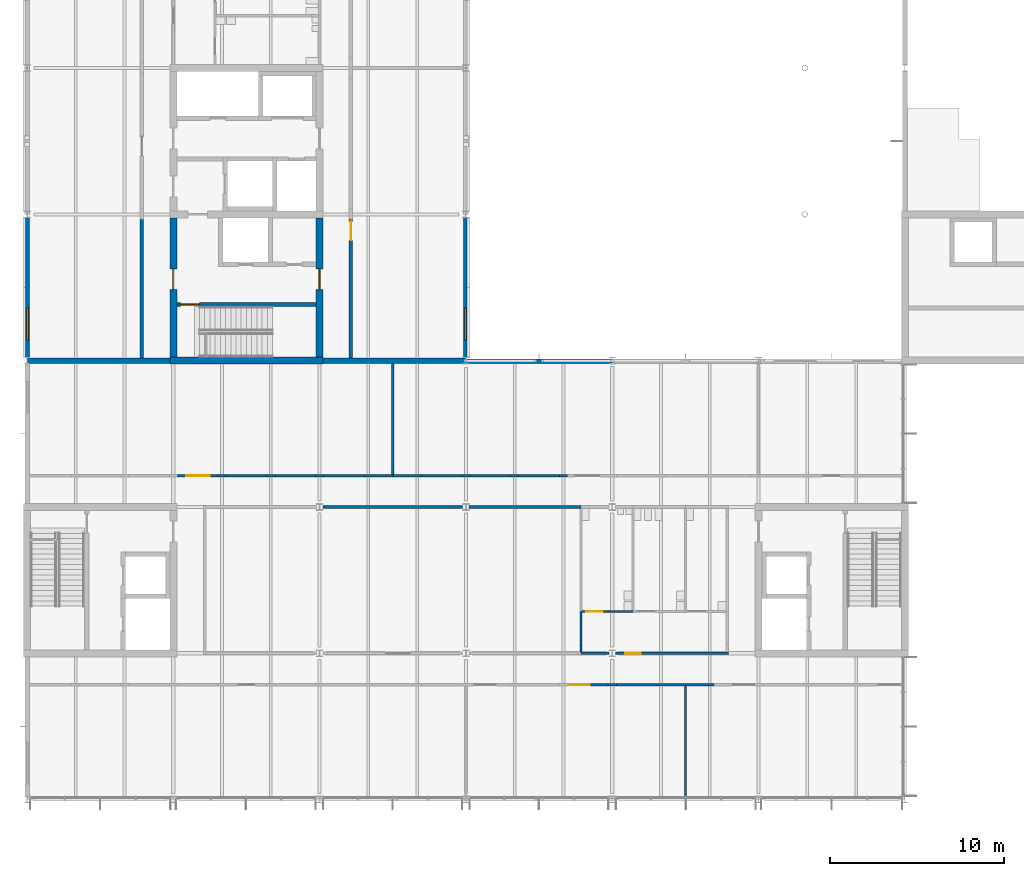
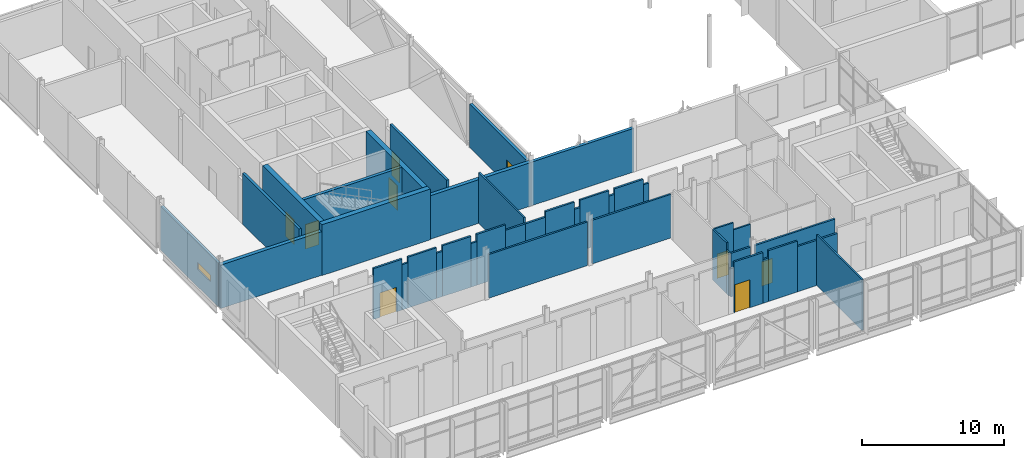
# One storey, part 48 of 89: 41 walls, 8 doors, 2 windows, 10 openings.
"""IFC4 building model written with IfcOpenShell, lengths in metres."""

import ifcopenshell
import ifcopenshell.guid

model = None  # the IFC model being written
_history = None  # IfcOwnerHistory: only IFC2X3 demands one
_inside = {}  # id of a spatial element -> (the spatial element, [elements in it])
_under = {}  # id of a project, library or spatial element -> (it, [spatial elements below it])
_declared = {}  # id of a project -> (the project, [libraries it declares])
_typed = {}  # id of a type object -> (the type object, [elements of that type])
_made_of = {}  # id of a material, layer set ... -> (it, [elements and type objects made of it])


def new_model(schema):
    """Start an empty IFC model of exactly this schema.

    Asked for "IFC4X3", IfcOpenShell would pick the latest addendum, in which some entities
    have other attributes; the version numbers below select the first issue.
    IFC2X3 requires an IfcOwnerHistory on every rooted entity: one is made here for all.
    """
    global model, _history
    if schema == "IFC4X3":
        model = ifcopenshell.file(schema_version=(4, 3, 0, 0))
    else:
        model = ifcopenshell.file(schema=schema)
    _inside.clear()
    _under.clear()
    _declared.clear()
    _typed.clear()
    _made_of.clear()
    _history = None
    if model.schema == "IFC2X3":
        org = make("IfcOrganization", Name="unknown")
        user = make(
            "IfcPersonAndOrganization",
            ThePerson=make("IfcPerson", FamilyName="unknown"),
            TheOrganization=org,
        )
        app = make(
            "IfcApplication",
            ApplicationDeveloper=org,
            Version="unknown",
            ApplicationFullName="unknown",
            ApplicationIdentifier="unknown",
        )
        _history = make(
            "IfcOwnerHistory",
            OwningUser=user,
            OwningApplication=app,
            ChangeAction="ADDED",
            CreationDate=0,
        )
    return model


def make(cls, **values):
    """One entity of the class cls with the attributes given. An attribute that is None is left unset."""
    return model.create_entity(
        cls, **{name: value for name, value in values.items() if value is not None}
    )


def rooted(cls, **values):
    """An entity with a GlobalId (a new one), such as an element, a storey or a relation."""
    return make(cls, GlobalId=ifcopenshell.guid.new(), OwnerHistory=_history, **values)


def si_unit(unit_type, name, prefix=None):
    """IfcSIUnit, for example si_unit("LENGTHUNIT", "METRE", prefix="MILLI")."""
    return make("IfcSIUnit", UnitType=unit_type, Prefix=prefix, Name=name)


def assignment(units):
    """IfcUnitAssignment: the units of a project."""
    return None if units is None else make("IfcUnitAssignment", Units=units)


def point(xyz):
    """IfcCartesianPoint."""
    return None if xyz is None else make("IfcCartesianPoint", Coordinates=xyz)


def direction(xyz):
    """IfcDirection."""
    return None if xyz is None else make("IfcDirection", DirectionRatios=xyz)


def frame(location, z_axis=None, x_axis=None):
    """IfcAxis2Placement3D, a coordinate frame: its origin and axes. An axis left out is left unset."""
    return make(
        "IfcAxis2Placement3D",
        Location=point(location),
        Axis=direction(z_axis),
        RefDirection=direction(x_axis),
    )


def frame_2d(location, x_axis=None):
    """IfcAxis2Placement2D, a coordinate frame in the plane: its origin and x axis."""
    return make(
        "IfcAxis2Placement2D", Location=point(location), RefDirection=direction(x_axis)
    )


def origin():
    """The frame at (0, 0, 0) with its axes left unset."""
    return frame((0.0, 0.0, 0.0))


def place(relative_to, where):
    """IfcLocalPlacement: puts the frame where relative to a parent placement (None: the world)."""
    return make(
        "IfcLocalPlacement", PlacementRelTo=relative_to, RelativePlacement=where
    )


def context(
    kind, dimensions, precision=None, world=None, true_north=None, identifier=None
):
    """IfcGeometricRepresentationContext, for example the 3D "Model" context."""
    return make(
        "IfcGeometricRepresentationContext",
        ContextIdentifier=identifier,
        ContextType=kind,
        CoordinateSpaceDimension=dimensions,
        Precision=precision,
        WorldCoordinateSystem=world,
        TrueNorth=true_north,
    )


def subcontext(parent, identifier, kind, view, scale=None):
    """IfcGeometricRepresentationSubContext, for example "Body" below "Model"."""
    return make(
        "IfcGeometricRepresentationSubContext",
        ContextIdentifier=identifier,
        ContextType=kind,
        ParentContext=parent,
        TargetScale=scale,
        TargetView=view,
    )


def project(units=None, contexts=None):
    """IfcProject with its units and contexts."""
    return rooted(
        "IfcProject",
        Name="project",
        RepresentationContexts=contexts,
        UnitsInContext=assignment(units),
    )


def spatial(cls, under=None, at=None, **own):
    """A site, building, storey or space (cls), placed at a placement, below another one or the project."""
    s = rooted(cls, ObjectPlacement=at, **own)
    if under is not None:
        _under.setdefault(under.id(), (under, []))[1].append(s)
    return s


def profile(cls, at=None, kind="AREA", **sizes):
    """A parametric profile (cls). Its sizes go by their IFC names, for example OverallWidth=200.0."""
    return make(cls, ProfileType=kind, Position=at, **sizes)


def rectangle(**sizes):
    """IfcRectangleProfileDef."""
    return profile("IfcRectangleProfileDef", **sizes)


def extrude(swept, where, along, depth):
    """IfcExtrudedAreaSolid: the profile swept, set in the frame where, extruded along a direction by depth."""
    return make(
        "IfcExtrudedAreaSolid",
        SweptArea=swept,
        Position=where,
        ExtrudedDirection=direction(along),
        Depth=depth,
    )


def shape(context_of_items, identifier, shape_type, items):
    """IfcShapeRepresentation: the items that make up one representation, for example the "Body"."""
    return make(
        "IfcShapeRepresentation",
        ContextOfItems=context_of_items,
        RepresentationIdentifier=identifier,
        RepresentationType=shape_type,
        Items=items,
    )


def material(Name=None, Category=None):
    """IfcMaterial."""
    return make("IfcMaterial", Name=Name, Category=Category)


def layer(
    of_material, thickness, ventilated=None, Name=None, Category=None, Priority=None
):
    """IfcMaterialLayer: one layer of a wall or slab, of a material (None: an air gap)."""
    return make(
        "IfcMaterialLayer",
        Material=of_material,
        LayerThickness=thickness,
        IsVentilated=ventilated,
        Name=Name,
        Category=Category,
        Priority=Priority,
    )


def layer_set(layers, Name=None):
    """IfcMaterialLayerSet."""
    return make("IfcMaterialLayerSet", MaterialLayers=layers, LayerSetName=Name)


def made_of(thing, what):
    """Note that an element or type object is made of a material, layer set ...; save() writes the relation."""
    if what is not None:
        _made_of.setdefault(what.id(), (what, []))[1].append(thing)
    return thing


def type_object(cls, material=None, **own):
    """A type object (cls), such as IfcWallType, which elements share."""
    return made_of(rooted(cls, **own), material)


def element(
    cls,
    number,
    at=None,
    inside=None,
    cuts=None,
    type_object=None,
    material=None,
    context=None,
    identifier="Body",
    shape_type=None,
    held_by="IfcProductDefinitionShape",
    body=None,
    shapes=None,
    **own,
):
    """One element of the class cls, such as IfcWall. Its Tag is "e" and its number.

    at: its placement. inside: the storey or other place that contains it. cuts: it is an
    opening in that element (IfcRelVoidsElement). A single representation is given by context,
    identifier, shape_type and body (its items); several are given by shapes. held_by: the class
    of the entity that holds the representations. save() writes the other relations.
    """
    e = rooted(cls, Tag="e%d" % number, ObjectPlacement=at, **own)
    if body is not None:
        shapes = [shape(context, identifier, shape_type, body)]
    if shapes is not None:
        e.Representation = make(held_by, Representations=shapes)
    if inside is not None:
        _inside.setdefault(inside.id(), (inside, []))[1].append(e)
    if cuts is not None:
        rooted(
            "IfcRelVoidsElement", RelatingBuildingElement=cuts, RelatedOpeningElement=e
        )
    if type_object is not None:
        _typed.setdefault(type_object.id(), (type_object, []))[1].append(e)
    return made_of(e, material)


def fill(opening, filler):
    """IfcRelFillsElement: the door or window that sits in an opening."""
    return rooted(
        "IfcRelFillsElement",
        RelatingOpeningElement=opening,
        RelatedBuildingElement=filler,
    )


def aggregate(whole, parts):
    """IfcRelAggregates: a whole, such as a stair, and the parts it consists of."""
    return rooted("IfcRelAggregates", RelatingObject=whole, RelatedObjects=parts)


def save(model, path):
    """Write the relations noted so far, then the file.

    IfcRelAggregates (storeys below a building ...), IfcRelContainedInSpatialStructure (elements
    in a storey), IfcRelDefinesByType, IfcRelAssociatesMaterial and IfcRelDeclares: one each for
    every whole, place, type object, material and project.
    """
    for whole, parts in _under.values():
        aggregate(whole, parts)
    for where, things in _inside.values():
        rooted(
            "IfcRelContainedInSpatialStructure",
            RelatedElements=things,
            RelatingStructure=where,
        )
    for kind, things in _typed.values():
        rooted("IfcRelDefinesByType", RelatedObjects=things, RelatingType=kind)
    for what, things in _made_of.values():
        rooted("IfcRelAssociatesMaterial", RelatedObjects=things, RelatingMaterial=what)
    for by, libraries in _declared.values():
        rooted("IfcRelDeclares", RelatingContext=by, RelatedDefinitions=libraries)
    model.write(path)


model = new_model("IFC4")

# Units and contexts
model_context = context("Model", 3, precision=1e-05, world=origin(), true_north=direction((0.0, 1.0)))
body_context = subcontext(model_context, "Body", "Model", "MODEL_VIEW")
ifc_project = project(units=[si_unit("LENGTHUNIT", "METRE"), si_unit("AREAUNIT", "SQUARE_METRE"), si_unit("VOLUMEUNIT", "CUBIC_METRE"), si_unit("PLANEANGLEUNIT", "RADIAN"), si_unit("MASSUNIT", "GRAM", prefix="KILO")], contexts=[model_context])

# Site, building, storey
site_placement = place(None, origin())
site = spatial("IfcSite", under=ifc_project, at=site_placement, CompositionType="ELEMENT")
building_placement = place(site_placement, origin())
building = spatial("IfcBuilding", under=site, at=building_placement, Name="Hlaing Beacon Police Headquarters", CompositionType="ELEMENT")
storey_placement = place(building_placement, frame((0.0, 0.0, 9.89990234375)))
storey = spatial("IfcBuildingStorey", under=building, at=storey_placement, Name="L02", CompositionType="ELEMENT", Elevation=9.89990234375)

# Walls
ifc_material_1 = material(Name="Concrete C40/50", Category="concrete")
ifc_layer_1 = layer(ifc_material_1, 0.300048828125)
ifc_layer_set_1 = layer_set([ifc_layer_1], Name="Concrete C40/50")
wall_type_1 = type_object("IfcWallType", Name="Compartment wall 300", PredefinedType="SOLIDWALL", material=ifc_layer_set_1)
wall_1_placement = place(storey_placement, frame((33.59814453125, 33.60009765625, 0.0), z_axis=(0.0, 0.0, 1.0), x_axis=(-1.0, 0.0, 0.0)))
element("IfcWall", 1, at=wall_1_placement, inside=storey, type_object=wall_type_1, Name="Compartment wall L02 N034", PredefinedType="SOLIDWALL", context=body_context, shape_type="SweptSolid", body=[
    extrude(rectangle(XDim=8.1982421875, YDim=0.300048828125, at=frame_2d((4.09912109375, 0.0))), origin(), (0.0, 0.0, 1.0), 3.74609375),
])
wall_2_placement = place(storey_placement, frame((16.60009765625, 33.60009765625, 0.0), z_axis=(0.0, 0.0, 1.0), x_axis=(-1.0, 0.0, 0.0)))
element("IfcWall", 2, at=wall_2_placement, inside=storey, type_object=wall_type_1, Name="Compartment wall L02 N035", PredefinedType="SOLIDWALL", context=body_context, shape_type="SweptSolid", body=[
    extrude(rectangle(XDim=8.19580078125, YDim=0.300048828125, at=frame_2d((4.097900390625, 0.0))), origin(), (0.0, 0.0, 1.0), 3.74609375),
])
ifc_material_2 = material(Name="Concrete C60/75", Category="concrete")
ifc_layer_2 = layer(ifc_material_2, 0.39990234375)
ifc_layer_set_2 = layer_set([ifc_layer_2], Name="Concrete C60/75")
wall_type_2 = type_object("IfcWallType", Name="Core shear wall 400", PredefinedType="SHEAR", material=ifc_layer_set_2)
wall_3_placement = place(storey_placement, frame((16.60009765625, 33.60009765625, 0.0), z_axis=(0.0, 0.0, 1.0), x_axis=(1.0, 0.0, 0.0)))
element("IfcWall", 3, at=wall_3_placement, inside=storey, type_object=wall_type_2, Name="Core shear wall", PredefinedType="SHEAR", context=body_context, shape_type="SweptSolid", body=[
    extrude(rectangle(XDim=8.7998046875, YDim=0.39990234375, at=frame_2d((4.39990234375, 0.0))), origin(), (0.0, 0.0, 1.0), 4.3701171875),
])

# Wall, opening, door
wall_4_placement = place(storey_placement, frame((16.800048828125, 33.800048828125, 0.0), z_axis=(0.0, 0.0, 1.0), x_axis=(0.0, 1.0, 0.0)))
wall_4 = element("IfcWall", 4, at=wall_4_placement, inside=storey, type_object=wall_type_2, Name="Core shear wall", PredefinedType="SHEAR", context=body_context, shape_type="SweptSolid", body=[
    extrude(rectangle(XDim=8.0, YDim=0.39990234375, at=frame_2d((4.0, 0.0))), origin(), (0.0, 0.0, 1.0), 4.3701171875),
])
opening_1_placement = place(wall_4_placement, frame((3.875, 0.0, 0.0)))
opening_1 = element("IfcOpeningElement", 5, at=opening_1_placement, cuts=wall_4, Name="Opening L02-941", PredefinedType="OPENING", context=body_context, shape_type="SweptSolid", body=[
    extrude(rectangle(XDim=1.199951171875, YDim=2.10009765625, at=frame_2d((0.60009765625, 1.050048828125))), frame((0.0, 0.2099609375, 0.0), z_axis=(0.0, -1.0, 0.0), x_axis=(1.0, 0.0, 0.0)), (0.0, 0.0, 1.0), 0.419921875),
])
ifc_material_3 = material(Name="Steel fire door leaf", Category="steel")
ifc_layer_3 = layer(ifc_material_3, 0.070068359375)
ifc_layer_set_3 = layer_set([ifc_layer_3], Name="Steel fire door leaf")
door_type_1 = type_object("IfcDoorType", Name="Steel fire door FD60S 1200x2100", OperationType="SINGLE_SWING_LEFT", PredefinedType="DOOR", material=ifc_layer_set_3)
door_1_placement = place(opening_1_placement, frame((1.199951171875, 0.0, 0.0), z_axis=(0.0, 0.0, 1.0), x_axis=(-1.0, 0.0, 0.0)))
door_1 = element("IfcDoor", 6, at=door_1_placement, inside=storey, type_object=door_type_1, Name="Door Stair Lobby ST-N Entry", OperationType="SINGLE_SWING_RIGHT", OverallHeight=2.10009765625, OverallWidth=1.199951171875, PredefinedType="DOOR", context=body_context, shape_type="SweptSolid", body=[
    extrude(rectangle(XDim=1.199951171875, YDim=2.10009765625, at=frame_2d((0.599853515625, 1.050048828125))), frame((0.0, 0.034912109375, 0.0), z_axis=(0.0, -1.0, 0.0), x_axis=(1.0, 0.0, 0.0)), (0.0, 0.0, 1.0), 0.070068359375),
])
fill(opening_1, door_1)

wall_5_placement = place(storey_placement, frame((25.199951171875, 33.800048828125, 0.0), z_axis=(0.0, 0.0, 1.0), x_axis=(0.0, 1.0, 0.0)))
wall_5 = element("IfcWall", 7, at=wall_5_placement, inside=storey, type_object=wall_type_2, Name="Core shear wall", PredefinedType="SHEAR", context=body_context, shape_type="SweptSolid", body=[
    extrude(rectangle(XDim=8.0, YDim=0.39990234375, at=frame_2d((4.0, 0.0))), origin(), (0.0, 0.0, 1.0), 4.3701171875),
])
opening_2_placement = place(wall_5_placement, frame((3.875, 0.0, 0.0)))
opening_2 = element("IfcOpeningElement", 8, at=opening_2_placement, cuts=wall_5, Name="Opening L02-942", PredefinedType="OPENING", context=body_context, shape_type="SweptSolid", body=[
    extrude(rectangle(XDim=1.199951171875, YDim=2.10009765625, at=frame_2d((0.60009765625, 1.050048828125))), frame((0.0, 0.2099609375, 0.0), z_axis=(0.0, -1.0, 0.0), x_axis=(1.0, 0.0, 0.0)), (0.0, 0.0, 1.0), 0.419921875),
])
door_2_placement = place(opening_2_placement, origin())
door_2 = element("IfcDoor", 9, at=door_2_placement, inside=storey, type_object=door_type_1, Name="Door Stair Lobby ST-N Entry", OperationType="SINGLE_SWING_LEFT", OverallHeight=2.10009765625, OverallWidth=1.199951171875, PredefinedType="DOOR", context=body_context, shape_type="SweptSolid", body=[
    extrude(rectangle(XDim=1.199951171875, YDim=2.10009765625, at=frame_2d((0.60009765625, 1.050048828125))), frame((0.0, 0.03515625, 0.0), z_axis=(0.0, -1.0, 0.0), x_axis=(1.0, 0.0, 0.0)), (0.0, 0.0, 1.0), 0.070068359375),
])
fill(opening_2, door_2)

# Walls
ifc_material_4 = material(Name="Gypsum board partition")
ifc_layer_4 = layer(ifc_material_4, 0.14990234375)
ifc_layer_set_4 = layer_set([ifc_layer_4], Name="Gypsum board partition")
wall_type_3 = type_object("IfcWallType", Name="Corridor wall EI 30 150", PredefinedType="PARTITIONING", material=ifc_layer_set_4)
wall_6_placement = place(storey_placement, frame((25.385986328125, 25.199951171875, 0.0), z_axis=(0.0, 0.0, 1.0), x_axis=(1.0, 0.0, 0.0)))
element("IfcWall", 10, at=wall_6_placement, inside=storey, type_object=wall_type_3, Name="Corridor wall EI 30 150", PredefinedType="PARTITIONING", context=body_context, shape_type="SweptSolid", body=[
    extrude(rectangle(XDim=8.029052734375, YDim=0.14990234375, at=frame_2d((4.0146484375, 0.0))), origin(), (0.0, 0.0, 1.0), 3.74609375),
])
wall_7_placement = place(storey_placement, frame((33.784912109375, 25.199951171875, 0.0), z_axis=(0.0, 0.0, 1.0), x_axis=(1.0, 0.0, 0.0)))
element("IfcWall", 11, at=wall_7_placement, inside=storey, type_object=wall_type_3, Name="Corridor wall EI 30 150", PredefinedType="PARTITIONING", context=body_context, shape_type="SweptSolid", body=[
    extrude(rectangle(XDim=6.4150390625, YDim=0.14990234375, at=frame_2d((3.20751953125, 0.0))), origin(), (0.0, 0.0, 1.0), 3.74609375),
])
wall_8_placement = place(storey_placement, frame((40.199951171875, 16.800048828125, 0.0), z_axis=(0.0, 0.0, 1.0), x_axis=(1.0, 0.0, 0.0)))
element("IfcWall", 12, at=wall_8_placement, inside=storey, type_object=wall_type_3, Name="Corridor wall EI 30 150", PredefinedType="PARTITIONING", context=body_context, shape_type="SweptSolid", body=[
    extrude(rectangle(XDim=1.614990234375, YDim=0.14990234375, at=frame_2d((0.8076171875, 0.0))), origin(), (0.0, 0.0, 1.0), 3.74609375),
])

# Wall, opening, door
wall_9_placement = place(storey_placement, frame((42.18505859375, 16.800048828125, 0.0), z_axis=(0.0, 0.0, 1.0), x_axis=(1.0, 0.0, 0.0)))
wall_9 = element("IfcWall", 13, at=wall_9_placement, inside=storey, type_object=wall_type_3, Name="Corridor wall EI 30 150", PredefinedType="PARTITIONING", context=body_context, shape_type="SweptSolid", body=[
    extrude(rectangle(XDim=6.489990234375, YDim=0.14990234375, at=frame_2d((3.2451171875, 0.0))), origin(), (0.0, 0.0, 1.0), 3.74609375),
])
opening_3_placement = place(wall_9_placement, frame((0.550048828125, 0.0, 0.0)))
opening_3 = element("IfcOpeningElement", 14, at=opening_3_placement, cuts=wall_9, Name="Opening L02-011", PredefinedType="OPENING", context=body_context, shape_type="SweptSolid", body=[
    extrude(rectangle(XDim=0.89990234375, YDim=2.10009765625, at=frame_2d((0.449951171875, 1.050048828125))), frame((0.0, 0.0849609375, 0.0), z_axis=(0.0, -1.0, 0.0), x_axis=(1.0, 0.0, 0.0)), (0.0, 0.0, 1.0), 0.169921875),
])
ifc_material_5 = material(Name="Hardwood door leaf", Category="wood")
ifc_layer_5 = layer(ifc_material_5, 0.050048828125)
ifc_layer_set_5 = layer_set([ifc_layer_5], Name="Hardwood door leaf")
door_type_2 = type_object("IfcDoorType", Name="Fire door FD30S 900x2100", OperationType="SINGLE_SWING_LEFT", PredefinedType="DOOR", material=ifc_layer_set_5)
door_3_placement = place(opening_3_placement, origin())
door_3 = element("IfcDoor", 15, at=door_3_placement, inside=storey, type_object=door_type_2, Name="Door WC Lobby", OperationType="SINGLE_SWING_RIGHT", OverallHeight=2.10009765625, OverallWidth=0.89990234375, PredefinedType="DOOR", context=body_context, shape_type="SweptSolid", body=[
    extrude(rectangle(XDim=0.89990234375, YDim=2.10009765625, at=frame_2d((0.449951171875, 1.050048828125))), frame((0.0, 0.02490234375, 0.0), z_axis=(0.0, -1.0, 0.0), x_axis=(1.0, 0.0, 0.0)), (0.0, 0.0, 1.0), 0.050048828125),
])
fill(opening_3, door_3)

wall_10_placement = place(storey_placement, frame((17.030029296875, 27.0, 0.0), z_axis=(0.0, 0.0, 1.0), x_axis=(1.0, 0.0, 0.0)))
wall_10 = element("IfcWall", 16, at=wall_10_placement, inside=storey, type_object=wall_type_3, Name="Corridor wall EI 30 150", PredefinedType="PARTITIONING", context=body_context, shape_type="SweptSolid", body=[
    extrude(rectangle(XDim=2.340087890625, YDim=0.14990234375, at=frame_2d((1.169921875, 0.0))), origin(), (0.0, 0.0, 1.0), 4.3701171875),
])
opening_4_placement = place(wall_10_placement, frame((0.52001953125, 0.0, 0.0)))
opening_4 = element("IfcOpeningElement", 17, at=opening_4_placement, cuts=wall_10, Name="Opening L02-013", PredefinedType="OPENING", context=body_context, shape_type="SweptSolid", body=[
    extrude(rectangle(XDim=1.35009765625, YDim=2.10009765625, at=frame_2d((0.675048828125, 1.050048828125))), frame((0.0, 0.0849609375, 0.0), z_axis=(0.0, -1.0, 0.0), x_axis=(1.0, 0.0, 0.0)), (0.0, 0.0, 1.0), 0.169921875),
])
ifc_material_6 = material(Name="Hardwood door leaf", Category="wood")
ifc_layer_6 = layer(ifc_material_6, 0.050048828125)
ifc_layer_set_6 = layer_set([ifc_layer_6], Name="Hardwood door leaf")
door_type_3 = type_object("IfcDoorType", Name="Fire leaf-and-a-half door FD30S 1350x2100", OperationType="DOUBLE_DOOR_SINGLE_SWING", PredefinedType="DOOR", material=ifc_layer_set_6)
door_4_placement = place(opening_4_placement, origin())
door_4 = element("IfcDoor", 18, at=door_4_placement, inside=storey, type_object=door_type_3, Name="Door Legal Services", OperationType="DOUBLE_DOOR_SINGLE_SWING", OverallHeight=2.10009765625, OverallWidth=1.35009765625, PredefinedType="DOOR", context=body_context, shape_type="SweptSolid", body=[
    extrude(rectangle(XDim=1.35009765625, YDim=2.10009765625, at=frame_2d((0.675048828125, 1.050048828125))), frame((0.0, 0.02490234375, 0.0), z_axis=(0.0, -1.0, 0.0), x_axis=(1.0, 0.0, 0.0)), (0.0, 0.0, 1.0), 0.050048828125),
])
fill(opening_4, door_4)

# Walls
wall_11_placement = place(storey_placement, frame((19.3701171875, 27.0, 0.0), z_axis=(0.0, 0.0, 1.0), x_axis=(1.0, 0.0, 0.0)))
element("IfcWall", 19, at=wall_11_placement, inside=storey, type_object=wall_type_3, Name="Corridor wall EI 30 150", PredefinedType="PARTITIONING", context=body_context, shape_type="SweptSolid", body=[
    extrude(rectangle(XDim=0.4599609375, YDim=0.14990234375, at=frame_2d((0.22998046875, 0.0))), origin(), (0.0, 0.0, 1.0), 3.89501953125),
])
wall_12_placement = place(storey_placement, frame((19.830078125, 27.0, 0.0), z_axis=(0.0, 0.0, 1.0), x_axis=(1.0, 0.0, 0.0)))
element("IfcWall", 20, at=wall_12_placement, inside=storey, type_object=wall_type_3, Name="Corridor wall EI 30 150", PredefinedType="PARTITIONING", context=body_context, shape_type="SweptSolid", body=[
    extrude(rectangle(XDim=2.33984375, YDim=0.14990234375, at=frame_2d((1.169921875, 0.0))), origin(), (0.0, 0.0, 1.0), 4.3701171875),
])
wall_13_placement = place(storey_placement, frame((22.169921875, 27.0, 0.0), z_axis=(0.0, 0.0, 1.0), x_axis=(1.0, 0.0, 0.0)))
element("IfcWall", 21, at=wall_13_placement, inside=storey, type_object=wall_type_3, Name="Corridor wall EI 30 150", PredefinedType="PARTITIONING", context=body_context, shape_type="SweptSolid", body=[
    extrude(rectangle(XDim=0.4599609375, YDim=0.14990234375, at=frame_2d((0.22998046875, 0.0))), origin(), (0.0, 0.0, 1.0), 3.89501953125),
])
wall_14_placement = place(storey_placement, frame((22.6298828125, 27.0, 0.0), z_axis=(0.0, 0.0, 1.0), x_axis=(1.0, 0.0, 0.0)))
element("IfcWall", 22, at=wall_14_placement, inside=storey, type_object=wall_type_3, Name="Corridor wall EI 30 150", PredefinedType="PARTITIONING", context=body_context, shape_type="SweptSolid", body=[
    extrude(rectangle(XDim=2.340087890625, YDim=0.14990234375, at=frame_2d((1.169921875, 0.0))), origin(), (0.0, 0.0, 1.0), 4.3701171875),
])
wall_15_placement = place(storey_placement, frame((24.969970703125, 27.0, 0.0), z_axis=(0.0, 0.0, 1.0), x_axis=(1.0, 0.0, 0.0)))
element("IfcWall", 23, at=wall_15_placement, inside=storey, type_object=wall_type_3, Name="Corridor wall EI 30 150", PredefinedType="PARTITIONING", context=body_context, shape_type="SweptSolid", body=[
    extrude(rectangle(XDim=0.4599609375, YDim=0.14990234375, at=frame_2d((0.22998046875, 0.0))), origin(), (0.0, 0.0, 1.0), 3.74609375),
])
wall_16_placement = place(storey_placement, frame((25.429931640625, 27.0, 0.0), z_axis=(0.0, 0.0, 1.0), x_axis=(1.0, 0.0, 0.0)))
element("IfcWall", 24, at=wall_16_placement, inside=storey, type_object=wall_type_3, Name="Corridor wall EI 30 150", PredefinedType="PARTITIONING", context=body_context, shape_type="SweptSolid", body=[
    extrude(rectangle(XDim=2.340087890625, YDim=0.14990234375, at=frame_2d((1.169921875, 0.0))), origin(), (0.0, 0.0, 1.0), 4.3701171875),
])
wall_17_placement = place(storey_placement, frame((27.77001953125, 27.0, 0.0), z_axis=(0.0, 0.0, 1.0), x_axis=(1.0, 0.0, 0.0)))
element("IfcWall", 25, at=wall_17_placement, inside=storey, type_object=wall_type_3, Name="Corridor wall EI 30 150", PredefinedType="PARTITIONING", context=body_context, shape_type="SweptSolid", body=[
    extrude(rectangle(XDim=1.6298828125, YDim=0.14990234375, at=frame_2d((0.81494140625, 0.0))), origin(), (0.0, 0.0, 1.0), 3.89501953125),
])
wall_18_placement = place(storey_placement, frame((29.39990234375, 27.0, 0.0), z_axis=(0.0, 0.0, 1.0), x_axis=(1.0, 0.0, 0.0)))
element("IfcWall", 26, at=wall_18_placement, inside=storey, type_object=wall_type_3, Name="Corridor wall EI 30 150", PredefinedType="PARTITIONING", context=body_context, shape_type="SweptSolid", body=[
    extrude(rectangle(XDim=1.630126953125, YDim=0.14990234375, at=frame_2d((0.81494140625, 0.0))), origin(), (0.0, 0.0, 1.0), 3.89501953125),
])
wall_19_placement = place(storey_placement, frame((31.030029296875, 27.0, 0.0), z_axis=(0.0, 0.0, 1.0), x_axis=(1.0, 0.0, 0.0)))
element("IfcWall", 27, at=wall_19_placement, inside=storey, type_object=wall_type_3, Name="Corridor wall EI 30 150", PredefinedType="PARTITIONING", context=body_context, shape_type="SweptSolid", body=[
    extrude(rectangle(XDim=2.340087890625, YDim=0.14990234375, at=frame_2d((1.169921875, 0.0))), origin(), (0.0, 0.0, 1.0), 4.3701171875),
])
wall_20_placement = place(storey_placement, frame((33.3701171875, 27.0, 0.0), z_axis=(0.0, 0.0, 1.0), x_axis=(1.0, 0.0, 0.0)))
element("IfcWall", 28, at=wall_20_placement, inside=storey, type_object=wall_type_3, Name="Corridor wall EI 30 150", PredefinedType="PARTITIONING", context=body_context, shape_type="SweptSolid", body=[
    extrude(rectangle(XDim=0.4599609375, YDim=0.14990234375, at=frame_2d((0.22998046875, 0.0))), origin(), (0.0, 0.0, 1.0), 3.74609375),
])
wall_21_placement = place(storey_placement, frame((33.830078125, 27.0, 0.0), z_axis=(0.0, 0.0, 1.0), x_axis=(1.0, 0.0, 0.0)))
element("IfcWall", 29, at=wall_21_placement, inside=storey, type_object=wall_type_3, Name="Corridor wall EI 30 150", PredefinedType="PARTITIONING", context=body_context, shape_type="SweptSolid", body=[
    extrude(rectangle(XDim=2.33984375, YDim=0.14990234375, at=frame_2d((1.169921875, 0.0))), origin(), (0.0, 0.0, 1.0), 4.3701171875),
])
wall_22_placement = place(storey_placement, frame((36.169921875, 27.0, 0.0), z_axis=(0.0, 0.0, 1.0), x_axis=(1.0, 0.0, 0.0)))
element("IfcWall", 30, at=wall_22_placement, inside=storey, type_object=wall_type_3, Name="Corridor wall EI 30 150", PredefinedType="PARTITIONING", context=body_context, shape_type="SweptSolid", body=[
    extrude(rectangle(XDim=0.4599609375, YDim=0.14990234375, at=frame_2d((0.22998046875, 0.0))), origin(), (0.0, 0.0, 1.0), 3.89501953125),
])
wall_23_placement = place(storey_placement, frame((36.6298828125, 27.0, 0.0), z_axis=(0.0, 0.0, 1.0), x_axis=(1.0, 0.0, 0.0)))
element("IfcWall", 31, at=wall_23_placement, inside=storey, type_object=wall_type_3, Name="Corridor wall EI 30 150", PredefinedType="PARTITIONING", context=body_context, shape_type="SweptSolid", body=[
    extrude(rectangle(XDim=2.340087890625, YDim=0.14990234375, at=frame_2d((1.169921875, 0.0))), origin(), (0.0, 0.0, 1.0), 4.3701171875),
])
wall_24_placement = place(storey_placement, frame((38.969970703125, 27.0, 0.0), z_axis=(0.0, 0.0, 1.0), x_axis=(1.0, 0.0, 0.0)))
element("IfcWall", 32, at=wall_24_placement, inside=storey, type_object=wall_type_3, Name="Corridor wall EI 30 150", PredefinedType="PARTITIONING", context=body_context, shape_type="SweptSolid", body=[
    extrude(rectangle(XDim=0.4599609375, YDim=0.14990234375, at=frame_2d((0.22998046875, 0.0))), origin(), (0.0, 0.0, 1.0), 3.89501953125),
])

# Wall, opening, door
wall_25_placement = place(storey_placement, frame((39.429931640625, 15.0, 0.0), z_axis=(0.0, 0.0, 1.0), x_axis=(1.0, 0.0, 0.0)))
wall_25 = element("IfcWall", 33, at=wall_25_placement, inside=storey, type_object=wall_type_3, Name="Corridor wall EI 30 150", PredefinedType="PARTITIONING", context=body_context, shape_type="SweptSolid", body=[
    extrude(rectangle(XDim=2.340087890625, YDim=0.14990234375, at=frame_2d((1.169921875, 0.0))), origin(), (0.0, 0.0, 1.0), 4.3701171875),
])
opening_5_placement = place(wall_25_placement, frame((0.070068359375, 0.0, 0.0)))
opening_5 = element("IfcOpeningElement", 34, at=opening_5_placement, cuts=wall_25, Name="Opening L02-018", PredefinedType="OPENING", context=body_context, shape_type="SweptSolid", body=[
    extrude(rectangle(XDim=1.199951171875, YDim=2.39990234375, at=frame_2d((0.60009765625, 1.199951171875))), frame((0.0, 0.0849609375, 0.0), z_axis=(0.0, -1.0, 0.0), x_axis=(1.0, 0.0, 0.0)), (0.0, 0.0, 1.0), 0.169921875),
])
ifc_material_7 = material(Name="Hardwood door leaf", Category="wood")
ifc_layer_7 = layer(ifc_material_7, 0.050048828125)
ifc_layer_set_7 = layer_set([ifc_layer_7], Name="Hardwood door leaf")
door_type_4 = type_object("IfcDoorType", Name="Fire public door FD30S 1200x2400", OperationType="SINGLE_SWING_LEFT", PredefinedType="DOOR", material=ifc_layer_set_7)
door_5_placement = place(opening_5_placement, origin())
door_5 = element("IfcDoor", 35, at=door_5_placement, inside=storey, type_object=door_type_4, Name="Door Executive Meeting Room", OperationType="SINGLE_SWING_RIGHT", OverallHeight=2.39990234375, OverallWidth=1.199951171875, PredefinedType="DOOR", context=body_context, shape_type="SweptSolid", body=[
    extrude(rectangle(XDim=1.199951171875, YDim=2.39990234375, at=frame_2d((0.60009765625, 1.199951171875))), frame((0.0, 0.02490234375, 0.0), z_axis=(0.0, -1.0, 0.0), x_axis=(1.0, 0.0, 0.0)), (0.0, 0.0, 1.0), 0.050048828125),
])
fill(opening_5, door_5)

# Walls
wall_26_placement = place(storey_placement, frame((41.77001953125, 15.0, 0.0), z_axis=(0.0, 0.0, 1.0), x_axis=(1.0, 0.0, 0.0)))
element("IfcWall", 36, at=wall_26_placement, inside=storey, type_object=wall_type_3, Name="Corridor wall EI 30 150", PredefinedType="PARTITIONING", context=body_context, shape_type="SweptSolid", body=[
    extrude(rectangle(XDim=0.4599609375, YDim=0.14990234375, at=frame_2d((0.22998046875, 0.0))), origin(), (0.0, 0.0, 1.0), 3.74609375),
])
wall_27_placement = place(storey_placement, frame((42.22998046875, 15.0, 0.0), z_axis=(0.0, 0.0, 1.0), x_axis=(1.0, 0.0, 0.0)))
element("IfcWall", 37, at=wall_27_placement, inside=storey, type_object=wall_type_3, Name="Corridor wall EI 30 150", PredefinedType="PARTITIONING", context=body_context, shape_type="SweptSolid", body=[
    extrude(rectangle(XDim=2.340087890625, YDim=0.14990234375, at=frame_2d((1.169921875, 0.0))), origin(), (0.0, 0.0, 1.0), 4.3701171875),
])
wall_28_placement = place(storey_placement, frame((44.570068359375, 15.0, 0.0), z_axis=(0.0, 0.0, 1.0), x_axis=(1.0, 0.0, 0.0)))
element("IfcWall", 38, at=wall_28_placement, inside=storey, type_object=wall_type_3, Name="Corridor wall EI 30 150", PredefinedType="PARTITIONING", context=body_context, shape_type="SweptSolid", body=[
    extrude(rectangle(XDim=1.6298828125, YDim=0.14990234375, at=frame_2d((0.81494140625, 0.0))), origin(), (0.0, 0.0, 1.0), 3.89501953125),
])
wall_29_placement = place(storey_placement, frame((46.199951171875, 15.0, 0.0), z_axis=(0.0, 0.0, 1.0), x_axis=(1.0, 0.0, 0.0)))
element("IfcWall", 39, at=wall_29_placement, inside=storey, type_object=wall_type_3, Name="Corridor wall EI 30 150", PredefinedType="PARTITIONING", context=body_context, shape_type="SweptSolid", body=[
    extrude(rectangle(XDim=1.630126953125, YDim=0.14990234375, at=frame_2d((0.81494140625, 0.0))), origin(), (0.0, 0.0, 1.0), 3.89501953125),
])

# Wall, opening, door
ifc_material_8 = material(Name="Concrete blockwork 7.5 N/mm2", Category="masonry")
ifc_layer_8 = layer(ifc_material_8, 0.199951171875)
ifc_layer_set_8 = layer_set([ifc_layer_8], Name="Concrete blockwork 7.5 N/mm2")
wall_type_4 = type_object("IfcWallType", Name="Laboratory wall EI 60 200", PredefinedType="PARTITIONING", material=ifc_layer_set_8)
wall_30_placement = place(storey_placement, frame((27.0, 33.75, 0.0), z_axis=(0.0, 0.0, 1.0), x_axis=(0.0, 1.0, 0.0)))
wall_30 = element("IfcWall", 40, at=wall_30_placement, inside=storey, type_object=wall_type_4, Name="Laboratory wall EI 60 200", PredefinedType="PARTITIONING", context=body_context, shape_type="SweptSolid", body=[
    extrude(rectangle(XDim=7.945068359375, YDim=0.199951171875, at=frame_2d((3.97265625, 0.0))), origin(), (0.0, 0.0, 1.0), 4.3701171875),
])
opening_6_placement = place(wall_30_placement, frame((6.75, 0.0, 0.0)))
opening_6 = element("IfcOpeningElement", 41, at=opening_6_placement, cuts=wall_30, Name="Opening L02-030", PredefinedType="OPENING", context=body_context, shape_type="SweptSolid", body=[
    extrude(rectangle(XDim=1.10009765625, YDim=2.10009765625, at=frame_2d((0.550048828125, 1.050048828125))), frame((0.0, 0.10986328125, 0.0), z_axis=(0.0, -1.0, 0.0), x_axis=(1.0, 0.0, 0.0)), (0.0, 0.0, 1.0), 0.219970703125),
])
ifc_material_9 = material(Name="Hardwood door leaf", Category="wood")
ifc_layer_9 = layer(ifc_material_9, 0.050048828125)
ifc_layer_set_9 = layer_set([ifc_layer_9], Name="Hardwood door leaf")
door_type_5 = type_object("IfcDoorType", Name="Fire door FD30 1100x2100", OperationType="SINGLE_SWING_LEFT", PredefinedType="DOOR", material=ifc_layer_set_9)
door_6_placement = place(opening_6_placement, frame((1.10009765625, 0.0, 0.0), z_axis=(0.0, 0.0, 1.0), x_axis=(-1.0, 0.0, 0.0)))
door_6 = element("IfcDoor", 42, at=door_6_placement, inside=storey, type_object=door_type_5, Name="Door Drug Analysis Laboratory", OperationType="SINGLE_SWING_LEFT", OverallHeight=2.10009765625, OverallWidth=1.10009765625, PredefinedType="DOOR", context=body_context, shape_type="SweptSolid", body=[
    extrude(rectangle(XDim=1.10009765625, YDim=2.10009765625, at=frame_2d((0.550048828125, 1.050048828125))), frame((0.0, 0.025146484375, 0.0), z_axis=(0.0, -1.0, 0.0), x_axis=(1.0, 0.0, 0.0)), (0.0, 0.0, 1.0), 0.050048828125),
])
fill(opening_6, door_6)

# Walls
wall_31_placement = place(storey_placement, frame((15.0, 33.75, 0.0), z_axis=(0.0, 0.0, 1.0), x_axis=(0.0, 1.0, 0.0)))
element("IfcWall", 43, at=wall_31_placement, inside=storey, type_object=wall_type_4, Name="Laboratory wall EI 60 200", PredefinedType="PARTITIONING", context=body_context, shape_type="SweptSolid", body=[
    extrude(rectangle(XDim=7.945068359375, YDim=0.199951171875, at=frame_2d((3.97265625, 0.0))), origin(), (0.0, 0.0, 1.0), 4.3701171875),
])
ifc_material_10 = material(Name="Gypsum board partition")
ifc_layer_10 = layer(ifc_material_10, 0.125)
ifc_layer_set_10 = layer_set([ifc_layer_10], Name="Gypsum board partition")
wall_type_5 = type_object("IfcWallType", Name="Partition 125", PredefinedType="PARTITIONING", material=ifc_layer_set_10)
wall_32_placement = place(storey_placement, frame((40.199951171875, 16.875, 0.0), z_axis=(0.0, 0.0, 1.0), x_axis=(0.0, 1.0, 0.0)))
element("IfcWall", 44, at=wall_32_placement, inside=storey, type_object=wall_type_5, Name="Partition 125", PredefinedType="PARTITIONING", context=body_context, shape_type="SweptSolid", body=[
    extrude(rectangle(XDim=0.385009765625, YDim=0.125, at=frame_2d((0.1923828125, 0.0))), origin(), (0.0, 0.0, 1.0), 3.74609375),
])
wall_33_placement = place(storey_placement, frame((40.199951171875, 17.260009765625, 0.0), z_axis=(0.0, 0.0, 1.0), x_axis=(0.0, 1.0, 0.0)))
element("IfcWall", 45, at=wall_33_placement, inside=storey, type_object=wall_type_5, Name="Partition 125", PredefinedType="PARTITIONING", context=body_context, shape_type="SweptSolid", body=[
    extrude(rectangle(XDim=1.93994140625, YDim=0.125, at=frame_2d((0.969970703125, 0.0))), origin(), (0.0, 0.0, 1.0), 4.3701171875),
])

# Wall, opening, door
wall_34_placement = place(storey_placement, frame((40.262939453125, 19.199951171875, 0.0), z_axis=(0.0, 0.0, 1.0), x_axis=(1.0, 0.0, 0.0)))
wall_34 = element("IfcWall", 46, at=wall_34_placement, inside=storey, type_object=wall_type_5, Name="Partition 125", PredefinedType="PARTITIONING", context=body_context, shape_type="SweptSolid", body=[
    extrude(rectangle(XDim=1.5439453125, YDim=0.125, at=frame_2d((0.77197265625, 0.0))), origin(), (0.0, 0.0, 1.0), 4.3701171875),
])
opening_7_placement = place(wall_34_placement, frame((0.25, 0.0, 0.0)))
opening_7 = element("IfcOpeningElement", 47, at=opening_7_placement, cuts=wall_34, Name="Opening L02-012", PredefinedType="OPENING", context=body_context, shape_type="SweptSolid", body=[
    extrude(rectangle(XDim=0.89990234375, YDim=2.10009765625, at=frame_2d((0.449951171875, 1.050048828125))), frame((0.0, 0.072509765625, 0.0), z_axis=(0.0, -1.0, 0.0), x_axis=(1.0, 0.0, 0.0)), (0.0, 0.0, 1.0), 0.14501953125),
])
ifc_material_11 = material(Name="Hardwood door leaf", Category="wood")
ifc_layer_11 = layer(ifc_material_11, 0.0400390625)
ifc_layer_set_11 = layer_set([ifc_layer_11], Name="Hardwood door leaf")
door_type_6 = type_object("IfcDoorType", Name="Door 900x2100", OperationType="SINGLE_SWING_LEFT", PredefinedType="DOOR", material=ifc_layer_set_11)
door_7_placement = place(opening_7_placement, origin())
door_7 = element("IfcDoor", 48, at=door_7_placement, inside=storey, type_object=door_type_6, Name="Door Male WC", OperationType="SINGLE_SWING_RIGHT", OverallHeight=2.10009765625, OverallWidth=0.89990234375, PredefinedType="DOOR", context=body_context, shape_type="SweptSolid", body=[
    extrude(rectangle(XDim=0.89990234375, YDim=2.10009765625, at=frame_2d((0.449951171875, 1.050048828125))), frame((0.0, 0.02001953125, 0.0), z_axis=(0.0, -1.0, 0.0), x_axis=(1.0, 0.0, 0.0)), (0.0, 0.0, 1.0), 0.0400390625),
])
fill(opening_7, door_7)

# Walls
wall_35_placement = place(storey_placement, frame((41.806884765625, 19.199951171875, 0.0), z_axis=(0.0, 0.0, 1.0), x_axis=(1.0, 0.0, 0.0)))
element("IfcWall", 49, at=wall_35_placement, inside=storey, type_object=wall_type_5, Name="Partition 125", PredefinedType="PARTITIONING", context=body_context, shape_type="SweptSolid", body=[
    extrude(rectangle(XDim=1.39306640625, YDim=0.125, at=frame_2d((0.696533203125, 0.0))), origin(), (0.0, 0.0, 1.0), 3.74609375),
])
for number, where, z_axis, x_axis, name in (
    (50, (29.39990234375, 27.074951171875, 0.0), (0.0, 0.0, 1.0), (0.0, 1.0, 0.0), "Partition 125"),
    (51, (46.199951171875, 8.550048828125, 0.0), (0.0, 0.0, 1.0), (0.0, 1.0, 0.0), "Partition 125"),
):
    element("IfcWall", number, at=place(storey_placement, frame(where, z_axis=z_axis, x_axis=x_axis)), inside=storey, type_object=wall_type_5, Name=name, PredefinedType="PARTITIONING", context=body_context, shape_type="SweptSolid", body=[
        extrude(rectangle(XDim=6.375, YDim=0.125, at=frame_2d((3.1875, 0.0))), origin(), (0.0, 0.0, 1.0), 4.3701171875),
    ])
ifc_material_12 = material(Name="Concrete C40/50 precast ribbed cladding", Category="concrete")
ifc_layer_12 = layer(ifc_material_12, 0.25)
ifc_layer_set_12 = layer_set([ifc_layer_12], Name="Concrete C40/50 precast ribbed cladding")
wall_type_6 = type_object("IfcWallType", Name="Precast ribbed wall 250", PredefinedType="SOLIDWALL", material=ifc_layer_set_12)
wall_36_placement = place(storey_placement, frame((41.99609375, 33.574951171875, 0.0), z_axis=(0.0, 0.0, 1.0), x_axis=(-1.0, 0.0, 0.0)))
element("IfcWall", 52, at=wall_36_placement, inside=storey, type_object=wall_type_6, Name="External wall L02 N015", PredefinedType="SOLIDWALL", context=body_context, shape_type="SweptSolid", body=[
    extrude(rectangle(XDim=8.394287109375, YDim=0.25, at=frame_2d((4.197265625, 0.0))), origin(), (0.0, 0.0, 1.0), 3.7431640625),
])

# Wall, opening, window
ifc_material_13 = material(Name="Fibre cement ribbed cladding on insulated frame")
ifc_layer_13 = layer(ifc_material_13, 0.22509765625)
ifc_layer_set_13 = layer_set([ifc_layer_13], Name="Fibre cement ribbed cladding on insulated frame")
wall_type_7 = type_object("IfcWallType", Name="Ribbed fibre-cement clad wall 225", PredefinedType="SOLIDWALL", material=ifc_layer_set_13)
wall_37_placement = place(storey_placement, frame((33.5625, 33.770751953125, 0.0), z_axis=(0.0, 0.0, 1.0), x_axis=(0.0, 1.0, 0.0)))
wall_37 = element("IfcWall", 53, at=wall_37_placement, inside=storey, type_object=wall_type_7, Name="External wall L02 E016", PredefinedType="SOLIDWALL", context=body_context, shape_type="SweptSolid", body=[
    extrude(rectangle(XDim=8.05859375, YDim=0.22509765625, at=frame_2d((4.029296875, 0.0))), origin(), (0.0, 0.0, 1.0), 3.74609375),
])
opening_8_placement = place(wall_37_placement, frame((1.029296875, 0.0, 1.5)))
opening_8 = element("IfcOpeningElement", 54, at=opening_8_placement, cuts=wall_37, Name="Opening WN14", PredefinedType="OPENING", context=body_context, shape_type="SweptSolid", body=[
    extrude(rectangle(XDim=1.800048828125, YDim=0.60009765625, at=frame_2d((0.89990234375, 0.300048828125))), frame((0.0, 0.12255859375, 0.0), z_axis=(0.0, -1.0, 0.0), x_axis=(1.0, 0.0, 0.0)), (0.0, 0.0, 1.0), 0.2451171875),
])
ifc_material_14 = material(Name="Aluminium frame with solar control glazing", Category="aluminium")
window_type = type_object("IfcWindowType", Name="Strip window 1800x600 frame 80", PartitioningType="SINGLE_PANEL", PredefinedType="WINDOW", material=ifc_material_14)
window_1_placement = place(opening_8_placement, origin())
window_1 = element("IfcWindow", 55, at=window_1_placement, inside=storey, type_object=window_type, Name="Window L02 WJ", OverallHeight=0.60009765625, OverallWidth=1.800048828125, PartitioningType="SINGLE_PANEL", PredefinedType="WINDOW", context=body_context, shape_type="SweptSolid", body=[
    extrude(rectangle(XDim=1.800048828125, YDim=0.60009765625, at=frame_2d((0.89990234375, 0.300048828125))), frame((0.0, 0.0400390625, 0.0), z_axis=(0.0, -1.0, 0.0), x_axis=(1.0, 0.0, 0.0)), (0.0, 0.0, 1.0), 0.080078125),
])
fill(opening_8, window_1)

wall_38_placement = place(storey_placement, frame((8.4375, 41.829345703125, 0.0), z_axis=(0.0, 0.0, 1.0), x_axis=(0.0, -1.0, 0.0)))
wall_38 = element("IfcWall", 56, at=wall_38_placement, inside=storey, type_object=wall_type_7, Name="External wall L02 W025", PredefinedType="SOLIDWALL", context=body_context, shape_type="SweptSolid", body=[
    extrude(rectangle(XDim=8.058837890625, YDim=0.22509765625, at=frame_2d((4.029296875, 0.0))), origin(), (0.0, 0.0, 1.0), 3.74609375),
])
opening_9_placement = place(wall_38_placement, frame((5.229248046875, 0.0, 1.5)))
opening_9 = element("IfcOpeningElement", 57, at=opening_9_placement, cuts=wall_38, Name="Opening WN14", PredefinedType="OPENING", context=body_context, shape_type="SweptSolid", body=[
    extrude(rectangle(XDim=1.800048828125, YDim=0.60009765625, at=frame_2d((0.89990234375, 0.300048828125))), frame((0.0, 0.12255859375, 0.0), z_axis=(0.0, -1.0, 0.0), x_axis=(1.0, 0.0, 0.0)), (0.0, 0.0, 1.0), 0.2451171875),
])
window_2_placement = place(opening_9_placement, origin())
window_2 = element("IfcWindow", 58, at=window_2_placement, inside=storey, type_object=window_type, Name="Window L02 WJ", OverallHeight=0.60009765625, OverallWidth=1.800048828125, PartitioningType="SINGLE_PANEL", PredefinedType="WINDOW", context=body_context, shape_type="SweptSolid", body=[
    extrude(rectangle(XDim=1.800048828125, YDim=0.60009765625, at=frame_2d((0.89990234375, 0.300048828125))), frame((0.0, 0.0400390625, 0.0), z_axis=(0.0, -1.0, 0.0), x_axis=(1.0, 0.0, 0.0)), (0.0, 0.0, 1.0), 0.080078125),
])
fill(opening_9, window_2)

# Wall, opening, door
ifc_material_15 = material(Name="Concrete C40/50", Category="concrete")
ifc_layer_14 = layer(ifc_material_15, 0.25)
ifc_layer_set_14 = layer_set([ifc_layer_14], Name="Concrete C40/50")
wall_type_8 = type_object("IfcWallType", Name="Shaft wall 250", PredefinedType="SOLIDWALL", material=ifc_layer_set_14)
wall_39_placement = place(storey_placement, frame((17.0, 36.824951171875, 0.0), z_axis=(0.0, 0.0, 1.0), x_axis=(1.0, 0.0, 0.0)))
wall_39 = element("IfcWall", 59, at=wall_39_placement, inside=storey, type_object=wall_type_8, Name="Stair enclosure wall", PredefinedType="SOLIDWALL", context=body_context, shape_type="SweptSolid", body=[
    extrude(rectangle(XDim=8.0, YDim=0.25, at=frame_2d((4.0, 0.0))), origin(), (0.0, 0.0, 1.0), 4.3701171875),
])
opening_10_placement = place(wall_39_placement, frame((0.199951171875, 0.0, 0.0)))
opening_10 = element("IfcOpeningElement", 60, at=opening_10_placement, cuts=wall_39, Name="Opening L02-944", PredefinedType="OPENING", context=body_context, shape_type="SweptSolid", body=[
    extrude(rectangle(XDim=1.10009765625, YDim=2.10009765625, at=frame_2d((0.550048828125, 1.050048828125))), frame((0.0, 0.135009765625, 0.0), z_axis=(0.0, -1.0, 0.0), x_axis=(1.0, 0.0, 0.0)), (0.0, 0.0, 1.0), 0.27001953125),
])
ifc_material_16 = material(Name="Steel fire door leaf", Category="steel")
ifc_layer_15 = layer(ifc_material_16, 0.070068359375)
ifc_layer_set_15 = layer_set([ifc_layer_15], Name="Steel fire door leaf")
door_type_7 = type_object("IfcDoorType", Name="Steel fire door FD60 1100x2100", OperationType="SINGLE_SWING_LEFT", PredefinedType="DOOR", material=ifc_layer_set_15)
door_8_placement = place(opening_10_placement, frame((1.10009765625, 0.0, 0.0), z_axis=(0.0, 0.0, 1.0), x_axis=(-1.0, 0.0, 0.0)))
door_8 = element("IfcDoor", 61, at=door_8_placement, inside=storey, type_object=door_type_7, Name="Door Stair ST-N", OperationType="SINGLE_SWING_LEFT", OverallHeight=2.10009765625, OverallWidth=1.10009765625, PredefinedType="DOOR", context=body_context, shape_type="SweptSolid", body=[
    extrude(rectangle(XDim=1.10009765625, YDim=2.10009765625, at=frame_2d((0.550048828125, 1.050048828125))), frame((0.0, 0.034912109375, 0.0), z_axis=(0.0, -1.0, 0.0), x_axis=(1.0, 0.0, 0.0)), (0.0, 0.0, 1.0), 0.070068359375),
])
fill(opening_10, door_8)

save(model, "model.ifc")
